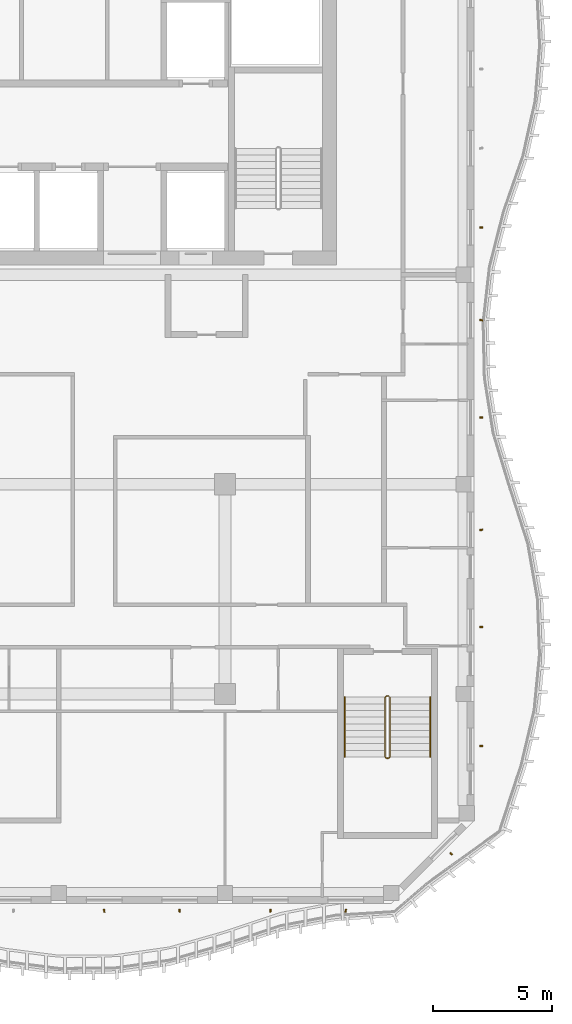
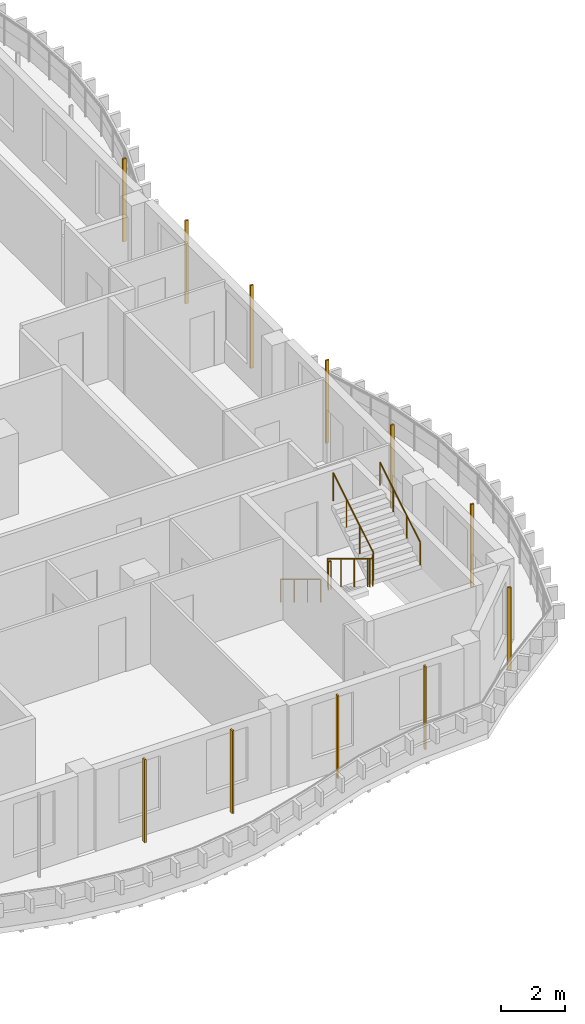
# One storey, part 15 of 17: 11 shading devices, 3 railings.
"""IFC4 building model written with IfcOpenShell, lengths in metres."""

from ifc_helpers import new_model, si_unit, direction, frame, origin, origin_2d, place, context, subcontext, project, spatial, rectangle, circle, extrude, source, transform, mapped, material, material_profile, profile_set, type_object, element, save


model = new_model("IFC4")

# Units and contexts
model_context = context("Model", 3, precision=1e-05, world=origin(), true_north=direction((0.0, 1.0)))
body_context = subcontext(model_context, "Body", "Model", "MODEL_VIEW")
ifc_project = project(units=[si_unit("LENGTHUNIT", "METRE"), si_unit("AREAUNIT", "SQUARE_METRE"), si_unit("VOLUMEUNIT", "CUBIC_METRE"), si_unit("PLANEANGLEUNIT", "RADIAN"), si_unit("MASSUNIT", "GRAM", prefix="KILO")], contexts=[model_context])

# Site, building, storey
site_placement = place(None, origin())
site = spatial("IfcSite", under=ifc_project, at=site_placement, CompositionType="ELEMENT")
building_placement = place(site_placement, origin())
building = spatial("IfcBuilding", under=site, at=building_placement, Name="Kilnfold Tower and Market Hall", CompositionType="ELEMENT")
storey_placement = place(building_placement, frame((0.0, 0.0, 273.800048828125)))
storey = spatial("IfcBuildingStorey", under=building, at=storey_placement, Name="L67", CompositionType="ELEMENT", Elevation=273.800048828125)

# Railings
ifc_material_1 = material(Name="Stainless steel 316", Category="steel")
railing_type_1 = type_object("IfcRailingType", Name="CORE STAIR GUARD 1100", PredefinedType="GUARDRAIL", material=ifc_material_1)
railing_1_placement = place(storey_placement, frame((19.89990234375, -9.75, 0.0)))
element("IfcRailing", 1, at=railing_1_placement, inside=storey, type_object=railing_type_1, Name="L67 ST4 stair guard 1", PredefinedType="GUARDRAIL", context=body_context, shape_type="SweptSolid", body=[
    extrude(circle(Radius=0.02392578125, at=origin_2d()), frame((0.0, 0.0, 1.076171875), z_axis=(-1.0, 0.0, 0.0), x_axis=(0.0, -1.0, 0.0)), (0.0, 0.0, 1.0), 0.099853515625),
    extrude(circle(Radius=0.02392578125, at=origin_2d()), frame((-0.099853515625, 0.0, 1.076171875), z_axis=(-0.271895245746, -0.271895245746, 0.923117517265), x_axis=(0.707106781187, -0.707106781187, 0.0)), (0.0, 0.0, 1.0), 0.18408203125),
    extrude(circle(Radius=0.02392578125, at=origin_2d()), frame((-0.14990234375, -0.050048828125, 1.24609375), z_axis=(0.0, -0.85478489116, 0.518982456201), x_axis=(1.0, 0.0, 0.0)), (0.0, 0.0, 1.0), 2.9482421875),
    extrude(circle(Radius=0.02392578125, at=origin_2d()), frame((-0.14990234375, -2.570068359375, 2.77587890625), z_axis=(0.707106781187, -0.707106781187, 0.0), x_axis=(0.707106781187, 0.707106781187, 0.0)), (0.0, 0.0, 1.0), 0.07080078125),
    extrude(circle(Radius=0.02392578125, at=origin_2d()), frame((-0.099853515625, -2.6201171875, 2.77587890625), z_axis=(1.0, 0.0, 0.0), x_axis=(0.0, 1.0, 0.0)), (0.0, 0.0, 1.0), 0.099853515625),
    extrude(circle(Radius=0.02392578125, at=origin_2d()), frame((0.0, -2.6201171875, 2.77587890625), z_axis=(0.271895245746, 0.271895245746, 0.923117517265), x_axis=(-0.707106781187, 0.707106781187, 0.0)), (0.0, 0.0, 1.0), 0.18408203125),
    extrude(circle(Radius=0.02392578125, at=origin_2d()), frame((0.050048828125, -2.570068359375, 2.94580078125), z_axis=(0.0, 0.85478489116, 0.518982456201), x_axis=(-1.0, 0.0, 0.0)), (0.0, 0.0, 1.0), 2.9482421875),
    extrude(circle(Radius=0.02099609375, at=origin_2d()), origin(), (0.0, 0.0, 1.0), 1.052001953125),
    extrude(circle(Radius=0.02099609375, at=origin_2d()), frame((-0.099853515625, 0.0, 0.0)), (0.0, 0.0, 1.0), 1.052001953125),
    extrude(circle(Radius=0.02099609375, at=origin_2d()), frame((-0.14990234375, -0.050048828125, 0.169921875)), (0.0, 0.0, 1.0), 1.052001953125),
    extrude(circle(Radius=0.02099609375, at=origin_2d()), frame((-0.14990234375, -0.89013671875, 0.679931640625)), (0.0, 0.0, 1.0), 1.052001953125),
    extrude(circle(Radius=0.02099609375, at=origin_2d()), frame((-0.14990234375, -1.72998046875, 1.18994140625)), (0.0, 0.0, 1.0), 1.052001953125),
    extrude(circle(Radius=0.02099609375, at=origin_2d()), frame((-0.14990234375, -2.570068359375, 1.699951171875)), (0.0, 0.0, 1.0), 1.052001953125),
    extrude(circle(Radius=0.02099609375, at=origin_2d()), frame((-0.099853515625, -2.6201171875, 1.699951171875)), (0.0, 0.0, 1.0), 1.052001953125),
    extrude(circle(Radius=0.02099609375, at=origin_2d()), frame((0.0, -2.6201171875, 1.699951171875)), (0.0, 0.0, 1.0), 1.052001953125),
    extrude(circle(Radius=0.02099609375, at=origin_2d()), frame((0.050048828125, -2.570068359375, 1.869873046875)), (0.0, 0.0, 1.0), 1.052001953125),
    extrude(circle(Radius=0.02099609375, at=origin_2d()), frame((0.050048828125, -1.72998046875, 2.3798828125)), (0.0, 0.0, 1.0), 1.052001953125),
    extrude(circle(Radius=0.02099609375, at=origin_2d()), frame((0.050048828125, -0.89013671875, 2.889892578125)), (0.0, 0.0, 1.0), 1.052001953125),
    extrude(circle(Radius=0.02099609375, at=origin_2d()), frame((0.050048828125, -0.050048828125, 3.39990234375)), (0.0, 0.0, 1.0), 1.052001953125),
])
ifc_material_2 = material(Name="Stainless steel 316", Category="steel")
railing_type_2 = type_object("IfcRailingType", Name="CORE STAIR HANDRAIL 900", PredefinedType="HANDRAIL", material=ifc_material_2)
railing_2_placement = place(storey_placement, frame((18.050048828125, -9.800048828125, 0.169921875)))
element("IfcRailing", 2, at=railing_2_placement, inside=storey, type_object=railing_type_2, Name="L67 ST4 stair handrail 1", PredefinedType="HANDRAIL", context=body_context, shape_type="SweptSolid", body=[
    extrude(circle(Radius=0.02392578125, at=origin_2d()), frame((0.0, 0.0, 0.8759765625), z_axis=(0.0, -0.85478489116, 0.518982456201), x_axis=(1.0, 0.0, 0.0)), (0.0, 0.0, 1.0), 2.9482421875),
    extrude(circle(Radius=0.02099609375, at=origin_2d()), origin(), (0.0, 0.0, 1.0), 0.851806640625),
    extrude(circle(Radius=0.02099609375, at=origin_2d()), frame((0.0, -0.840087890625, 0.510009765625)), (0.0, 0.0, 1.0), 0.851806640625),
    extrude(circle(Radius=0.02099609375, at=origin_2d()), frame((0.0, -1.679931640625, 1.02001953125)), (0.0, 0.0, 1.0), 0.851806640625),
    extrude(circle(Radius=0.02099609375, at=origin_2d()), frame((0.0, -2.52001953125, 1.530029296875)), (0.0, 0.0, 1.0), 0.851806640625),
])
railing_3_placement = place(storey_placement, frame((21.64990234375, -12.320068359375, 1.869873046875)))
element("IfcRailing", 3, at=railing_3_placement, inside=storey, type_object=railing_type_2, Name="L67 ST4 stair handrail 2", PredefinedType="HANDRAIL", context=body_context, shape_type="SweptSolid", body=[
    extrude(circle(Radius=0.02392578125, at=origin_2d()), frame((0.0, 0.0, 0.8759765625), z_axis=(0.0, 0.85478489116, 0.518982456201), x_axis=(-1.0, 0.0, 0.0)), (0.0, 0.0, 1.0), 2.9482421875),
    extrude(circle(Radius=0.02099609375, at=origin_2d()), origin(), (0.0, 0.0, 1.0), 0.851806640625),
    extrude(circle(Radius=0.02099609375, at=origin_2d()), frame((0.0, 0.840087890625, 0.510009765625)), (0.0, 0.0, 1.0), 0.851806640625),
    extrude(circle(Radius=0.02099609375, at=origin_2d()), frame((0.0, 1.679931640625, 1.02001953125)), (0.0, 0.0, 1.0), 0.851806640625),
    extrude(circle(Radius=0.02099609375, at=origin_2d()), frame((0.0, 2.52001953125, 1.530029296875)), (0.0, 0.0, 1.0), 0.851806640625),
])

# Shading devices
ifc_material_3 = material(Name="Terracotta", Category="masonry")
ifc_material_profile = material_profile(ifc_material_3, rectangle(XDim=0.06005859375, YDim=0.1201171875, at=origin_2d()), Name="BAG 60x120")
ifc_profile_set = profile_set([ifc_material_profile], Name="Terracotta")
shading_device_type = type_object("IfcShadingDeviceType", Name="BAGUETTE", PredefinedType="USERDEFINED", material=ifc_profile_set)
shared_shape = source(origin(), body_context, "Body", "SweptSolid", [
    extrude(rectangle(XDim=0.06005859375, YDim=0.1201171875, at=origin_2d()), origin(), (0.0, 0.0, 1.0), 3.179931640625),
])
for number, where, z_axis, x_axis, name in (
    (4, (7.91259765625, -18.800048828125, 0.0), (0.0, 0.0, 1.0), (0.998060120672, 0.062257493715, 0.0), "Terracotta baguette L67 S"),
    (5, (11.08740234375, -18.800048828125, 0.0), (0.0, 0.0, 1.0), (0.991210230341, 0.132296180093, 0.0), "Terracotta baguette L67 S"),
    (6, (14.91259765625, -18.800048828125, 0.0), (0.0, 0.0, 1.0), (0.998060120672, -0.062257493715, 0.0), "Terracotta baguette L67 S"),
    (7, (18.08740234375, -18.800048828125, 0.0), (0.0, 0.0, 1.0), (0.991210230341, -0.132296180093, 0.0), "Terracotta baguette L67 S"),
    (8, (22.52978515625, -16.394287109375, 0.0), (0.0, 0.0, 1.0), (0.615144215623, 0.788414607922, 0.0), "Terracotta baguette L67 SE"),
    (9, (23.800048828125, -11.856689453125, 0.0), (0.0, 0.0, 1.0), (0.013199541815, 0.999912882253, 0.0), "Terracotta baguette L67 E"),
    (10, (23.800048828125, -6.841796875, 0.0), (0.0, 0.0, 1.0), (0.099620194241, 0.995025535803, 0.0), "Terracotta baguette L67 E"),
    (11, (23.800048828125, -2.75, 0.0), (0.0, 0.0, 1.0), (-0.120138571523, 0.99275713225, 0.0), "Terracotta baguette L67 E"),
    (12, (23.800048828125, 1.99169921875, 0.0), (0.0, 0.0, 1.0), (0.003724524013, 0.999993063936, 0.0), "Terracotta baguette L67 E"),
    (13, (23.800048828125, 6.083251953125, 0.0), (0.0, 0.0, 1.0), (0.133309883813, 0.99107440431, 0.0), "Terracotta baguette L67 E"),
    (14, (23.800048828125, 9.99365234375, 0.0), (0.0, 0.0, 1.0), (-0.063987149268, 0.997950722595, 0.0), "Terracotta baguette L67 E"),
):
    element("IfcShadingDevice", number, at=place(storey_placement, frame(where, z_axis=z_axis, x_axis=x_axis)), inside=storey, type_object=shading_device_type, Name=name, ObjectType="BAGUETTE", PredefinedType="USERDEFINED", context=body_context, shape_type="MappedRepresentation", body=[
        mapped(shared_shape, transform((0.0, 0.0, 0.0))),
    ])

save(model, "model.ifc")
